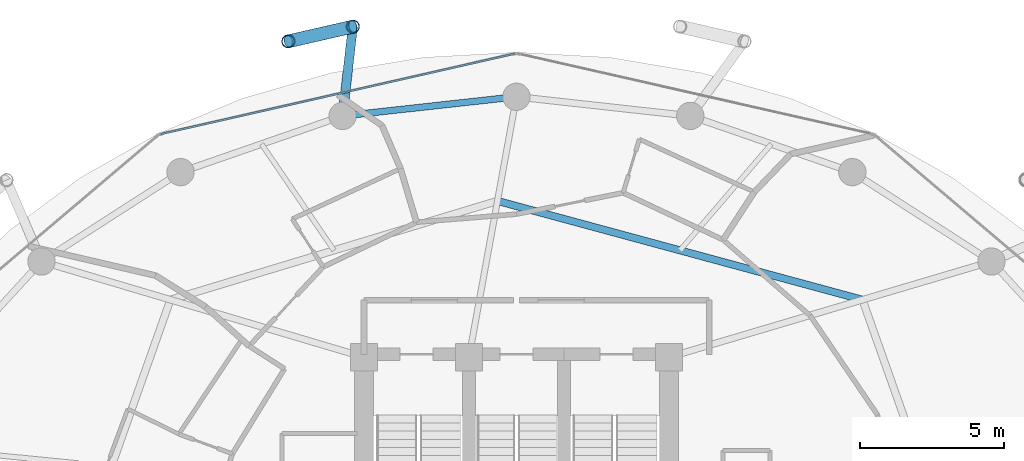
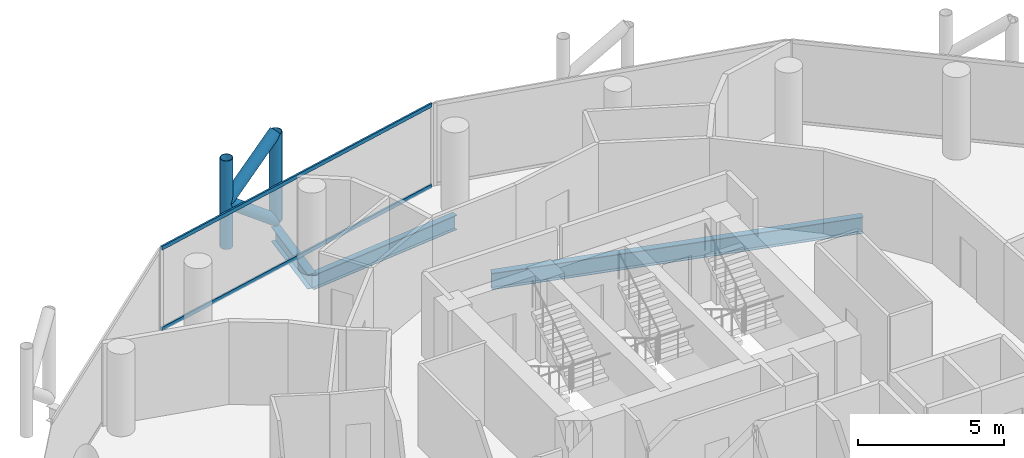
# One storey, part 16 of 26: 6 members, 3 beams, 1 element without a shape of its own.
"""IFC4 building model written with IfcOpenShell, lengths in metres."""

from ifc_helpers import new_model, si_unit, direction, frame, origin, origin_2d, place, context, subcontext, project, spatial, hollow_rectangle, hollow_circle, i_section, extrude, material, layer, layer_set, material_profile, profile_set, type_object, element, aggregate, save


model = new_model("IFC4")

# Units and contexts
model_context = context("Model", 3, precision=1e-05, world=origin(), true_north=direction((0.0, 1.0)))
body_context = subcontext(model_context, "Body", "Model", "MODEL_VIEW")
ifc_project = project(units=[si_unit("LENGTHUNIT", "METRE"), si_unit("AREAUNIT", "SQUARE_METRE"), si_unit("VOLUMEUNIT", "CUBIC_METRE"), si_unit("PLANEANGLEUNIT", "RADIAN"), si_unit("MASSUNIT", "GRAM", prefix="KILO")], contexts=[model_context])

# Site, building, storey
site_placement = place(None, origin())
site = spatial("IfcSite", under=ifc_project, at=site_placement, CompositionType="ELEMENT")
building_placement = place(site_placement, origin())
building = spatial("IfcBuilding", under=site, at=building_placement, Name="Nuhasar Tower", CompositionType="ELEMENT")
storey_placement = place(building_placement, frame((0.0, 0.0, 118.25)))
storey = spatial("IfcBuildingStorey", under=building, at=storey_placement, Name="L27", CompositionType="ELEMENT", Elevation=118.25)

# Beams
ifc_material_1 = material(Name="Steel S355", Category="steel")
ifc_material_profile_1 = material_profile(ifc_material_1, i_section(OverallWidth=0.25390625, OverallDepth=0.68408203125, WebThickness=0.012451171875, FlangeThickness=0.018798828125, at=origin_2d()), Name="W27X94")
ifc_profile_set_1 = profile_set([ifc_material_profile_1], Name="Steel S355")
beam_type_1 = type_object("IfcBeamType", Name="BM-INRING-W27X94", PredefinedType="BEAM", material=ifc_profile_set_1)
beam_1_placement = place(storey_placement, frame((51.027099609375, 39.2939453125, -0.592041015625), z_axis=(-0.96522695776, 0.261413312618, 0.0), x_axis=(-0.261413312618, -0.96522695776, 0.0)))
element("IfcBeam", 1, at=beam_1_placement, inside=storey, type_object=beam_type_1, Name="L27 Inner Header Beam 05", PredefinedType="BEAM", context=body_context, shape_type="SweptSolid", body=[
    extrude(i_section(OverallWidth=0.25390625, OverallDepth=0.68408203125, WebThickness=0.012451171875, FlangeThickness=0.018798828125, at=origin_2d()), origin(), (0.0, 0.0, 1.0), 13.14404296875),
])
ifc_material_profile_2 = material_profile(ifc_material_1, i_section(OverallWidth=0.22998046875, OverallDepth=0.616943359375, WebThickness=0.01318359375, FlangeThickness=0.022216796875, at=origin_2d()), Name="W24X94")
ifc_profile_set_2 = profile_set([ifc_material_profile_2], Name="Steel S355")
beam_type_2 = type_object("IfcBeamType", Name="BM-RING-W24X94", PredefinedType="SPANDREL", material=ifc_profile_set_2)
beam_2_placement = place(storey_placement, frame((39.0, 46.35009765625, -0.55810546875), z_axis=(-0.993981289157, -0.109549974015, 0.0), x_axis=(0.109549974015, -0.993981289157, 0.0)))
element("IfcBeam", 2, at=beam_2_placement, inside=storey, type_object=beam_type_2, Name="L27 Perimeter Ring Spandrel 07", PredefinedType="SPANDREL", context=body_context, shape_type="SweptSolid", body=[
    extrude(i_section(OverallWidth=0.22998046875, OverallDepth=0.616943359375, WebThickness=0.01318359375, FlangeThickness=0.022216796875, at=origin_2d()), origin(), (0.0, 0.0, 1.0), 6.07958984375),
])
ifc_material_profile_3 = material_profile(ifc_material_1, i_section(OverallWidth=0.323974609375, OverallDepth=0.611083984375, WebThickness=0.0126953125, FlangeThickness=0.01904296875, at=origin_2d()), Name="W24X104")
ifc_profile_set_3 = profile_set([ifc_material_profile_3], Name="Steel S355")
beam_type_3 = type_object("IfcBeamType", Name="BM-TIE-W24X104", PredefinedType="BEAM", material=ifc_profile_set_3)
beam_3_placement = place(storey_placement, frame((32.95703125, 45.68408203125, -0.554931640625), z_axis=(0.114167639647, 0.993461499031, 0.0), x_axis=(-0.993461499031, 0.114167639647, 0.0)))
element("IfcBeam", 3, at=beam_3_placement, inside=storey, type_object=beam_type_3, Name="L27 Exoskeleton Node Tie Beam 04", PredefinedType="BEAM", context=body_context, shape_type="SweptSolid", body=[
    extrude(i_section(OverallWidth=0.323974609375, OverallDepth=0.611083984375, WebThickness=0.0126953125, FlangeThickness=0.01904296875, at=origin_2d()), origin(), (0.0, 0.0, 1.0), 3.12646484375),
])

# Curtain wall, members
ifc_material_2 = material(Name="Aluminium 6063-T6", Category="aluminium")
ifc_layer = layer(ifc_material_2, 0.199951171875)
ifc_layer_set = layer_set([ifc_layer], Name="Aluminium 6063-T6")
curtain_wall_type = type_object("IfcCurtainWallType", Name="CW-Z2-HTL", PredefinedType="NOTDEFINED", material=ifc_layer_set)
curtain_wall_placement = place(storey_placement, origin())
curtain_wall = element("IfcCurtainWall", 4, at=curtain_wall_placement, inside=storey, type_object=curtain_wall_type, Name="L27 Unitised Curtain Wall 04", PredefinedType="NOTDEFINED")
ifc_material_profile_4 = material_profile(ifc_material_2, hollow_rectangle(XDim=0.070068359375, YDim=0.159912109375, WallThickness=0.00439453125, at=origin_2d()), Name="CWT-3")
ifc_profile_set_4 = profile_set([ifc_material_profile_4], Name="Aluminium 6063-T6")
member_type_1 = type_object("IfcMemberType", Name="CW-TRN-S3", PredefinedType="USERDEFINED", material=ifc_profile_set_4)
member_1_placement = place(storey_placement, frame((38.931640625, 47.844482421875, 0.034912109375), z_axis=(-0.975183434528, -0.221398439519, 0.0), x_axis=(0.221398439519, -0.975183434528, 0.0)))
member_1 = element("IfcMember", 5, at=member_1_placement, type_object=member_type_1, Name="CW-Z2 transom 1.1", ObjectType="TRANSOM", PredefinedType="USERDEFINED", context=body_context, shape_type="SweptSolid", body=[
    extrude(hollow_rectangle(XDim=0.070068359375, YDim=0.159912109375, WallThickness=0.00439453125, at=origin_2d()), origin(), (0.0, 0.0, 1.0), 12.606201171875),
])
member_2_placement = place(storey_placement, frame((38.931640625, 47.844482421875, 3.4150390625), z_axis=(-0.975183434528, -0.221398439519, 0.0), x_axis=(0.221398439519, -0.975183434528, 0.0)))
member_2 = element("IfcMember", 6, at=member_2_placement, type_object=member_type_1, Name="CW-Z2 transom 1.2", ObjectType="TRANSOM", PredefinedType="USERDEFINED", context=body_context, shape_type="SweptSolid", body=[
    extrude(hollow_rectangle(XDim=0.070068359375, YDim=0.159912109375, WallThickness=0.00439453125, at=origin_2d()), origin(), (0.0, 0.0, 1.0), 12.606201171875),
])
aggregate(curtain_wall, [member_1, member_2])

# Members
ifc_material_3 = material(Name="Steel S460", Category="steel")
ifc_material_profile_5 = material_profile(ifc_material_3, hollow_circle(Radius=0.228515625, WallThickness=0.022216796875, at=origin_2d()), Name="HSS457X22.2")
ifc_profile_set_5 = profile_set([ifc_material_profile_5], Name="Steel S460")
member_type_2 = type_object("IfcMemberType", Name="EXO-BRONZE-457", PredefinedType="BRACE", material=ifc_profile_set_5)
for number, where, z_axis, x_axis, name in (
    (7, (33.31396484375, 48.7900390625, 0.0), (0.0, 0.0, 1.0), (1.0, 0.0, 0.0), "L27 Exoskeleton Chord Column EC-04A"),
    (8, (31.072021484375, 48.27587890625, 0.0), (0.0, 0.0, 1.0), (1.0, 0.0, 0.0), "L27 Exoskeleton Chord Column EC-04B"),
):
    element("IfcMember", number, at=place(storey_placement, frame(where, z_axis=z_axis, x_axis=x_axis)), inside=storey, type_object=member_type_2, Name=name, PredefinedType="BRACE", context=body_context, shape_type="SweptSolid", body=[
        extrude(hollow_circle(Radius=0.228515625, WallThickness=0.022216796875, at=origin_2d()), origin(), (0.0, 0.0, 1.0), 3.699951171875),
    ])
member_3_placement = place(storey_placement, frame((33.31396484375, 48.7900390625, 0.0), z_axis=(-0.759499549084, -0.174181209885, 0.626754609927), x_axis=(0.223533724104, -0.974696195842, 0.0)))
element("IfcMember", 9, at=member_3_placement, inside=storey, type_object=member_type_2, Name="L27 Bronze Diagrid Brace W1-04", PredefinedType="BRACE", context=body_context, shape_type="SweptSolid", body=[
    extrude(hollow_circle(Radius=0.228515625, WallThickness=0.022216796875, at=origin_2d()), origin(), (0.0, 0.0, 1.0), 2.951904296875),
])
member_4_placement = place(storey_placement, frame((31.072021484375, 48.27587890625, 1.85009765625), z_axis=(0.759538919781, 0.174190239035, 0.626704388019), x_axis=(-0.223533724104, 0.974696195842, 0.0)))
element("IfcMember", 10, at=member_4_placement, inside=storey, type_object=member_type_2, Name="L27 Bronze Diagrid Brace W2-04", PredefinedType="BRACE", context=body_context, shape_type="SweptSolid", body=[
    extrude(hollow_circle(Radius=0.228515625, WallThickness=0.022216796875, at=origin_2d()), origin(), (0.0, 0.0, 1.0), 2.95166015625),
])

save(model, "model.ifc")
